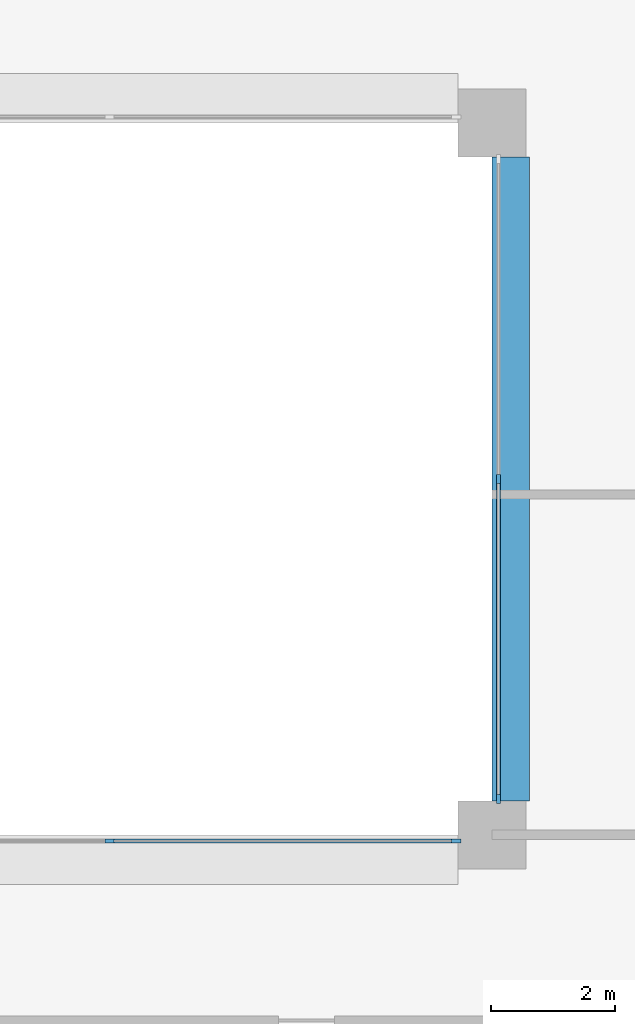
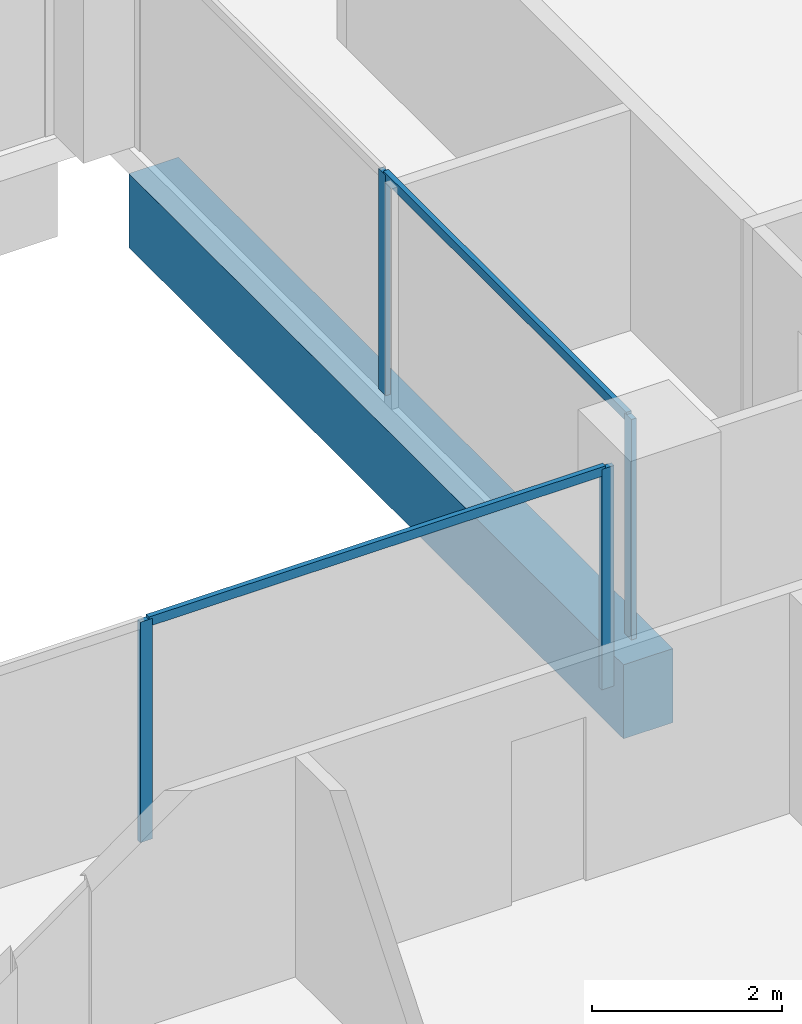
# One storey, part 4 of 16: 6 members, 1 beam, 2 elements without a shape of their own.
"""IFC4 building model written with IfcOpenShell, lengths in metres."""

from ifc_helpers import new_model, si_unit, direction, frame, origin, origin_2d, place, context, subcontext, project, spatial, rectangle, extrude, material, layer, layer_set, material_profile, profile_set, type_object, element, aggregate, save


model = new_model("IFC4")

# Units and contexts
model_context = context("Model", 3, precision=1e-05, world=origin(), true_north=direction((0.0, 1.0)))
body_context = subcontext(model_context, "Body", "Model", "MODEL_VIEW")
ifc_project = project(units=[si_unit("LENGTHUNIT", "METRE"), si_unit("AREAUNIT", "SQUARE_METRE"), si_unit("VOLUMEUNIT", "CUBIC_METRE"), si_unit("PLANEANGLEUNIT", "RADIAN"), si_unit("MASSUNIT", "GRAM", prefix="KILO")], contexts=[model_context])

# Site, building, storey
site_placement = place(None, origin())
site = spatial("IfcSite", under=ifc_project, at=site_placement, CompositionType="ELEMENT")
building_placement = place(site_placement, origin())
building = spatial("IfcBuilding", under=site, at=building_placement, Name="Brigalow Station Residences", CompositionType="ELEMENT")
storey_placement = place(building_placement, frame((0.0, 0.0, 163.35009765625)))
storey = spatial("IfcBuildingStorey", under=building, at=storey_placement, Name="L47", CompositionType="ELEMENT", Elevation=163.35009765625)

# Beam
ifc_material_1 = material(Name="Concrete C65", Category="concrete")
ifc_material_profile_1 = material_profile(ifc_material_1, rectangle(XDim=0.60009765625, YDim=0.949951171875, at=origin_2d()), Name="RC600x950")
ifc_profile_set_1 = profile_set([ifc_material_profile_1], Name="Concrete C65")
beam_type = type_object("IfcBeamType", Name="ATRIUM EDGE GIRDER 600x950 C65", PredefinedType="BEAM", material=ifc_profile_set_1)
beam_placement = place(storey_placement, frame((45.300048828125, 24.550048828125, -0.795166015625), z_axis=(0.0, 1.0, 0.0), x_axis=(-1.0, 0.0, 0.0)))
element("IfcBeam", 1, at=beam_placement, inside=storey, type_object=beam_type, Name="ATRIUM EDGE GIRDER 5 L47", PredefinedType="BEAM", context=body_context, shape_type="SweptSolid", body=[
    extrude(rectangle(XDim=0.60009765625, YDim=0.949951171875, at=origin_2d()), origin(), (0.0, 0.0, 1.0), 10.39990234375),
])

# Curtain wall, members
ifc_material_2 = material(Name="Aluminium", Category="aluminium")
ifc_layer = layer(ifc_material_2, 0.14990234375)
ifc_layer_set = layer_set([ifc_layer], Name="ATRIUM FIRE-RATED GLAZING CURTAIN WALL")
curtain_wall_type = type_object("IfcCurtainWallType", Name="ATRIUM FIRE-RATED GLAZING CURTAIN WALL", PredefinedType="NOTDEFINED", material=ifc_layer_set)
curtain_wall_1_placement = place(storey_placement, origin())
curtain_wall_1 = element("IfcCurtainWall", 2, at=curtain_wall_1_placement, inside=storey, type_object=curtain_wall_type, Name="L47/cw/atrium-S", PredefinedType="NOTDEFINED")
ifc_material_3 = material(Name="Aluminium", Category="aluminium")
ifc_material_profile_2 = material_profile(ifc_material_3, rectangle(XDim=0.06005859375, YDim=0.14990234375, at=origin_2d()), Name="ATRIUM FIRE-RATED GLAZING MULLION 60x150")
ifc_profile_set_2 = profile_set([ifc_material_profile_2], Name="Aluminium")
member_type_1 = type_object("IfcMemberType", Name="ATRIUM FIRE-RATED GLAZING MULLION 60x150", PredefinedType="MULLION", material=ifc_profile_set_2)
member_1_placement = place(storey_placement, frame((38.816650390625, 23.89990234375, 0.0), z_axis=(0.0, 0.0, 1.0), x_axis=(0.0, 1.0, 0.0)))
member_1 = element("IfcMember", 3, at=member_1_placement, type_object=member_type_1, Name="L47/cw/atrium-S/M02", PredefinedType="MULLION", context=body_context, shape_type="SweptSolid", body=[
    extrude(rectangle(XDim=0.06005859375, YDim=0.14990234375, at=origin_2d()), origin(), (0.0, 0.0, 1.0), 2.829833984375),
])
member_2_placement = place(storey_placement, frame((44.419921875, 23.89990234375, 0.0), z_axis=(0.0, 0.0, 1.0), x_axis=(0.0, 1.0, 0.0)))
member_2 = element("IfcMember", 4, at=member_2_placement, type_object=member_type_1, Name="L47/cw/atrium-S/M03", PredefinedType="MULLION", context=body_context, shape_type="SweptSolid", body=[
    extrude(rectangle(XDim=0.06005859375, YDim=0.14990234375, at=origin_2d()), origin(), (0.0, 0.0, 1.0), 2.829833984375),
])

curtain_wall_2_placement = place(storey_placement, origin())
curtain_wall_2 = element("IfcCurtainWall", 5, at=curtain_wall_2_placement, inside=storey, type_object=curtain_wall_type, Name="L47/cw/atrium-E", PredefinedType="NOTDEFINED")
member_3_placement = place(storey_placement, frame((45.10009765625, 24.580078125, 0.0), z_axis=(0.0, 0.0, 1.0), x_axis=(-1.0, 0.0, 0.0)))
member_3 = element("IfcMember", 6, at=member_3_placement, type_object=member_type_1, Name="L47/cw/atrium-E/M00", PredefinedType="MULLION", context=body_context, shape_type="SweptSolid", body=[
    extrude(rectangle(XDim=0.06005859375, YDim=0.14990234375, at=origin_2d()), origin(), (0.0, 0.0, 1.0), 2.829833984375),
])
member_4_placement = place(storey_placement, frame((45.10009765625, 29.75, 0.0), z_axis=(0.0, 0.0, 1.0), x_axis=(-1.0, 0.0, 0.0)))
member_4 = element("IfcMember", 7, at=member_4_placement, type_object=member_type_1, Name="L47/cw/atrium-E/M01", PredefinedType="MULLION", context=body_context, shape_type="SweptSolid", body=[
    extrude(rectangle(XDim=0.06005859375, YDim=0.14990234375, at=origin_2d()), origin(), (0.0, 0.0, 1.0), 2.829833984375),
])

# Member
ifc_material_4 = material(Name="Aluminium", Category="aluminium")
ifc_material_profile_3 = material_profile(ifc_material_4, rectangle(XDim=0.06005859375, YDim=0.1201171875, at=origin_2d()), Name="ATRIUM FIRE-RATED GLAZING TRANSOM 60x120")
ifc_profile_set_3 = profile_set([ifc_material_profile_3], Name="Aluminium")
member_type_2 = type_object("IfcMemberType", Name="ATRIUM FIRE-RATED GLAZING TRANSOM 60x120", PredefinedType="USERDEFINED", material=ifc_profile_set_3)
member_5_placement = place(storey_placement, frame((38.8466796875, 23.89990234375, 2.7998046875), z_axis=(1.0, 0.0, 0.0), x_axis=(0.0, 1.0, 0.0)))
member_5 = element("IfcMember", 8, at=member_5_placement, type_object=member_type_2, Name="L47/cw/atrium-S/T02-00", ObjectType="TRANSOM", PredefinedType="USERDEFINED", context=body_context, shape_type="SweptSolid", body=[
    extrude(rectangle(XDim=0.06005859375, YDim=0.1201171875, at=origin_2d()), origin(), (0.0, 0.0, 1.0), 5.543212890625),
])

aggregate(curtain_wall_1, [member_1, member_2, member_5])

member_6_placement = place(storey_placement, frame((45.10009765625, 24.610107421875, 2.7998046875), z_axis=(0.0, 1.0, 0.0), x_axis=(-1.0, 0.0, 0.0)))
member_6 = element("IfcMember", 9, at=member_6_placement, type_object=member_type_2, Name="L47/cw/atrium-E/T00-00", ObjectType="TRANSOM", PredefinedType="USERDEFINED", context=body_context, shape_type="SweptSolid", body=[
    extrude(rectangle(XDim=0.06005859375, YDim=0.1201171875, at=origin_2d()), origin(), (0.0, 0.0, 1.0), 5.10986328125),
])

aggregate(curtain_wall_2, [member_3, member_4, member_6])

save(model, "model.ifc")
